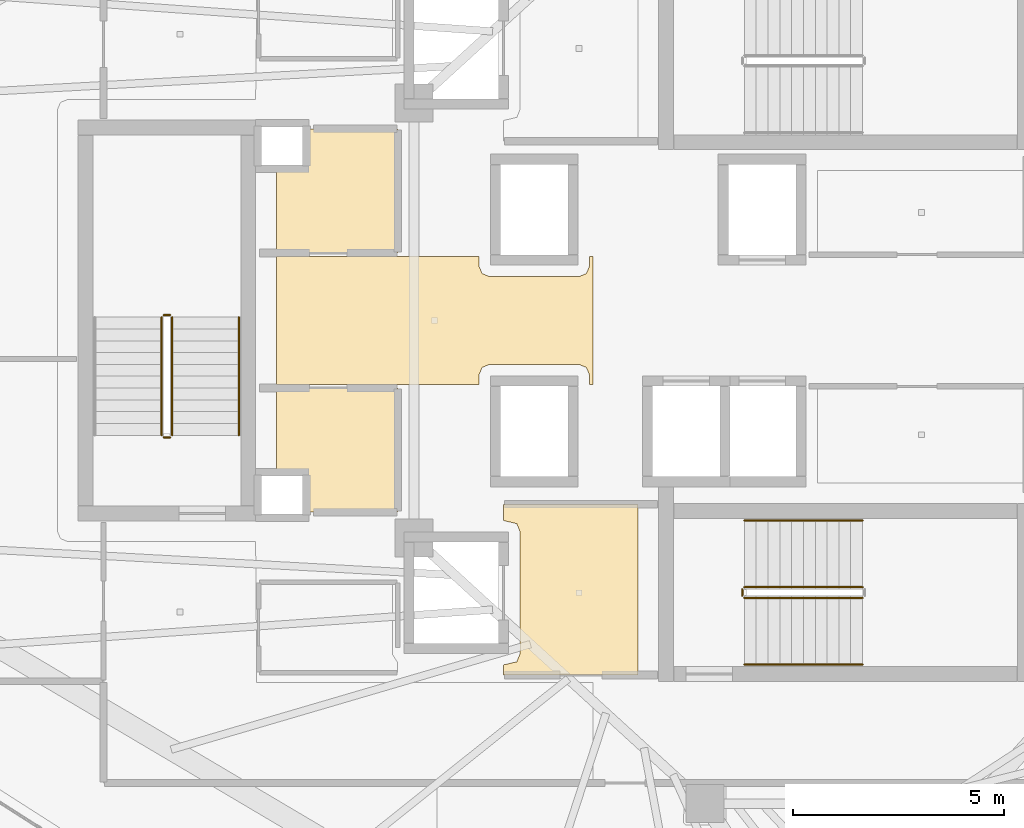
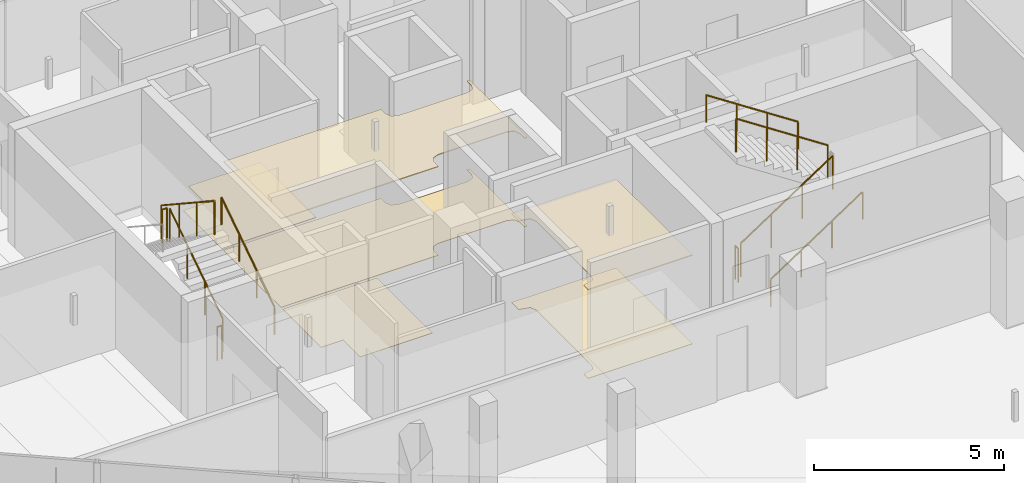
# One storey, part 29 of 33: 10 railings, 6 coverings.
"""IFC4 building model written with IfcOpenShell, lengths in metres."""

from ifc_helpers import new_model, si_unit, direction, frame, origin, origin_2d, place, context, subcontext, project, spatial, polyline, circle, outline, extrude, material, layer, layer_set, type_object, element, save


model = new_model("IFC4")

# Units and contexts
model_context = context("Model", 3, precision=1e-05, world=origin(), true_north=direction((0.0, 1.0)))
body_context = subcontext(model_context, "Body", "Model", "MODEL_VIEW")
ifc_project = project(units=[si_unit("LENGTHUNIT", "METRE"), si_unit("AREAUNIT", "SQUARE_METRE"), si_unit("VOLUMEUNIT", "CUBIC_METRE"), si_unit("PLANEANGLEUNIT", "RADIAN"), si_unit("MASSUNIT", "GRAM", prefix="KILO")], contexts=[model_context])

# Site, building, storey
site_placement = place(None, origin())
site = spatial("IfcSite", under=ifc_project, at=site_placement, CompositionType="ELEMENT")
building_placement = place(site_placement, origin())
building = spatial("IfcBuilding", under=site, at=building_placement, Name="Qorvath Tower", CompositionType="ELEMENT")
storey_placement = place(building_placement, frame((0.0, 0.0, 221.25)))
storey = spatial("IfcBuildingStorey", under=building, at=storey_placement, Name="L51", CompositionType="ELEMENT", Elevation=221.25)

# Coverings
ifc_material_1 = material(Name="Acoustic mineral fibre ceiling tile", Category="gypsum")
ifc_layer_1 = layer(ifc_material_1, 0.030029296875)
ifc_layer_set_1 = layer_set([ifc_layer_1], Name="COV-CEIL")
covering_type_1 = type_object("IfcCoveringType", Name="COV-CEIL", PredefinedType="CEILING", material=ifc_layer_set_1)
covering_1_placement = place(storey_placement, frame((0.0, 0.0, 2.85009765625)))
element("IfcCovering", 1, at=covering_1_placement, inside=storey, type_object=covering_type_1, Name="L51 Suspended Acoustic Ceiling 002", PredefinedType="CEILING", context=body_context, shape_type="SweptSolid", body=[
    extrude(outline(polyline([(-25.18994140625, -8.39501953125), (-25.18994140625, -4.35498046875), (-28.375, -4.35498046875), (-28.375, -4.739990234375), (-28.063232421875, -4.813232421875), (-27.989990234375, -4.989990234375), (-27.989990234375, -7.909912109375), (-28.063232421875, -8.086669921875), (-28.375, -8.159912109375), (-28.375, -8.39501953125), (-25.18994140625, -8.39501953125)])), origin(), (0.0, 0.0, 1.0), 0.030029296875),
])
covering_2_placement = place(storey_placement, frame((0.0, 0.0, 2.85009765625)))
element("IfcCovering", 2, at=covering_2_placement, inside=storey, type_object=covering_type_1, Name="L51 Suspended Acoustic Ceiling 011", PredefinedType="CEILING", context=body_context, shape_type="SweptSolid", body=[
    extrude(outline(polyline([(-26.2587890625, -1.514892578125), (-26.2587890625, 1.514892578125), (-26.340087890625, 1.514892578125), (-26.340087890625, 1.2900390625), (-26.413330078125, 1.11328125), (-26.590087890625, 1.0400390625), (-28.7099609375, 1.0400390625), (-28.88671875, 1.11328125), (-28.9599609375, 1.2900390625), (-28.9599609375, 1.514892578125), (-33.760009765625, 1.514892578125), (-33.760009765625, -1.514892578125), (-28.9599609375, -1.514892578125), (-28.9599609375, -1.2900390625), (-28.88671875, -1.11328125), (-28.7099609375, -1.0400390625), (-26.590087890625, -1.0400390625), (-26.413330078125, -1.11328125), (-26.340087890625, -1.2900390625), (-26.340087890625, -1.514892578125), (-26.2587890625, -1.514892578125)])), origin(), (0.0, 0.0, 1.0), 0.030029296875),
])
ifc_material_2 = material(Name="Low-VOC modular carpet tile", Category="textile")
ifc_layer_2 = layer(ifc_material_2, 0.014892578125)
ifc_layer_set_2 = layer_set([ifc_layer_2], Name="COV-FLOOR-CPT")
covering_type_2 = type_object("IfcCoveringType", Name="COV-FLOOR-CPT", PredefinedType="FLOORING", material=ifc_layer_set_2)
covering_3_placement = place(storey_placement, origin())
element("IfcCovering", 3, at=covering_3_placement, inside=storey, type_object=covering_type_2, Name="L51 Floor Finish 006", PredefinedType="FLOORING", context=body_context, shape_type="SweptSolid", body=[
    extrude(outline(polyline([(-33.760009765625, 3.636962890625), (-33.760009765625, 1.60498046875), (-30.885009765625, 1.60498046875), (-30.885009765625, 4.534912109375), (-33.0869140625, 4.534912109375), (-33.092041015625, 3.636962890625), (-33.760009765625, 3.636962890625)])), origin(), (0.0, 0.0, 1.0), 0.014892578125),
])
covering_4_placement = place(storey_placement, origin())
element("IfcCovering", 4, at=covering_4_placement, inside=storey, type_object=covering_type_2, Name="L51 Floor Finish 008", PredefinedType="FLOORING", context=body_context, shape_type="SweptSolid", body=[
    extrude(outline(polyline([(-30.885009765625, -4.534912109375), (-30.885009765625, -1.60498046875), (-33.760009765625, -1.60498046875), (-33.760009765625, -3.636962890625), (-33.08837890625, -3.638427734375), (-33.0869140625, -4.534912109375), (-30.885009765625, -4.534912109375)])), origin(), (0.0, 0.0, 1.0), 0.014892578125),
])
ifc_material_3 = material(Name="Polished epoxy terrazzo flooring", Category="concrete")
ifc_layer_3 = layer(ifc_material_3, 0.02001953125)
ifc_layer_set_3 = layer_set([ifc_layer_3], Name="COV-FLOOR-TRZ")
covering_type_3 = type_object("IfcCoveringType", Name="COV-FLOOR-TRZ", PredefinedType="FLOORING", material=ifc_layer_set_3)
covering_5_placement = place(storey_placement, origin())
element("IfcCovering", 5, at=covering_5_placement, inside=storey, type_object=covering_type_3, Name="L51 Floor Finish 002", PredefinedType="FLOORING", context=body_context, shape_type="SweptSolid", body=[
    extrude(outline(polyline([(-25.18994140625, -8.39501953125), (-25.18994140625, -4.35498046875), (-28.375, -4.35498046875), (-28.375, -4.739990234375), (-28.063232421875, -4.813232421875), (-27.989990234375, -4.989990234375), (-27.989990234375, -7.909912109375), (-28.063232421875, -8.086669921875), (-28.375, -8.159912109375), (-28.375, -8.39501953125), (-25.18994140625, -8.39501953125)])), origin(), (0.0, 0.0, 1.0), 0.014892578125),
])
covering_6_placement = place(storey_placement, origin())
element("IfcCovering", 6, at=covering_6_placement, inside=storey, type_object=covering_type_3, Name="L51 Floor Finish 011", PredefinedType="FLOORING", context=body_context, shape_type="SweptSolid", body=[
    extrude(outline(polyline([(-26.2587890625, -1.514892578125), (-26.2587890625, 1.514892578125), (-26.340087890625, 1.514892578125), (-26.340087890625, 1.2900390625), (-26.413330078125, 1.11328125), (-26.590087890625, 1.0400390625), (-28.7099609375, 1.0400390625), (-28.88671875, 1.11328125), (-28.9599609375, 1.2900390625), (-28.9599609375, 1.514892578125), (-33.760009765625, 1.514892578125), (-33.760009765625, -1.514892578125), (-28.9599609375, -1.514892578125), (-28.9599609375, -1.2900390625), (-28.88671875, -1.11328125), (-28.7099609375, -1.0400390625), (-26.590087890625, -1.0400390625), (-26.413330078125, -1.11328125), (-26.340087890625, -1.2900390625), (-26.340087890625, -1.514892578125), (-26.2587890625, -1.514892578125)])), origin(), (0.0, 0.0, 1.0), 0.014892578125),
])

# Railings
ifc_material_4 = material(Name="Painted galvanised steel", Category="steel")
railing_type_1 = type_object("IfcRailingType", Name="RL-STR-GRD", PredefinedType="GUARDRAIL", material=ifc_material_4)
railing_1_placement = place(storey_placement, frame((-22.669921875, -6.570068359375, 0.18408203125)))
element("IfcRailing", 7, at=railing_1_placement, inside=storey, type_object=railing_type_1, Name="L51 TS2 stair guard 1", PredefinedType="GUARDRAIL", context=body_context, shape_type="SweptSolid", body=[
    extrude(circle(Radius=0.02392578125, at=origin_2d()), frame((0.0, 0.0, 1.076171875), z_axis=(0.835575518608, 0.0, 0.549375602573), x_axis=(0.0, 1.0, 0.0)), (0.0, 0.0, 1.0), 3.350830078125),
    extrude(circle(Radius=0.02099609375, at=origin_2d()), origin(), (0.0, 0.0, 1.0), 1.052001953125),
    extrude(circle(Radius=0.02099609375, at=origin_2d()), frame((0.933349609375, 0.0, 0.613525390625)), (0.0, 0.0, 1.0), 1.052001953125),
    extrude(circle(Radius=0.02099609375, at=origin_2d()), frame((1.866455078125, 0.0, 1.227294921875)), (0.0, 0.0, 1.0), 1.052001953125),
    extrude(circle(Radius=0.02099609375, at=origin_2d()), frame((2.7998046875, 0.0, 1.8408203125)), (0.0, 0.0, 1.0), 1.052001953125),
])
railing_2_placement = place(storey_placement, frame((-19.8701171875, -6.320068359375, 2.208984375)))
element("IfcRailing", 8, at=railing_2_placement, inside=storey, type_object=railing_type_1, Name="L51 TS2 stair guard 3", PredefinedType="GUARDRAIL", context=body_context, shape_type="SweptSolid", body=[
    extrude(circle(Radius=0.02392578125, at=origin_2d()), frame((0.0, 0.0, 1.076171875), z_axis=(-0.835542071712, 0.0, 0.549426470421), x_axis=(0.0, -1.0, 0.0)), (0.0, 0.0, 1.0), 3.350830078125),
    extrude(circle(Radius=0.02099609375, at=origin_2d()), origin(), (0.0, 0.0, 1.0), 1.052001953125),
    extrude(circle(Radius=0.02099609375, at=origin_2d()), frame((-0.933349609375, 0.0, 0.61376953125)), (0.0, 0.0, 1.0), 1.052001953125),
    extrude(circle(Radius=0.02099609375, at=origin_2d()), frame((-1.866455078125, 0.0, 1.227294921875)), (0.0, 0.0, 1.0), 1.052001953125),
    extrude(circle(Radius=0.02099609375, at=origin_2d()), frame((-2.7998046875, 0.0, 1.841064453125)), (0.0, 0.0, 1.0), 1.052001953125),
])
railing_3_placement = place(storey_placement, frame((-22.719970703125, -6.52001953125, 0.0)))
element("IfcRailing", 9, at=railing_3_placement, inside=storey, type_object=railing_type_1, Name="L51 TS2 stair guard 4", PredefinedType="GUARDRAIL", context=body_context, shape_type="SweptSolid", body=[
    extrude(circle(Radius=0.02392578125, at=origin_2d()), frame((0.0, 0.0, 1.076171875), z_axis=(0.0, 1.0, 0.0), x_axis=(-1.0, 0.0, 0.0)), (0.0, 0.0, 1.0), 0.14990234375),
    extrude(circle(Radius=0.02099609375, at=origin_2d()), origin(), (0.0, 0.0, 1.0), 1.052001953125),
    extrude(circle(Radius=0.02099609375, at=origin_2d()), frame((0.0, 0.14990234375, 0.0)), (0.0, 0.0, 1.0), 1.052001953125),
])
railing_4_placement = place(storey_placement, frame((-36.22998046875, -2.719970703125, 0.18408203125)))
element("IfcRailing", 10, at=railing_4_placement, inside=storey, type_object=railing_type_1, Name="L51 TS3 stair guard 1", PredefinedType="GUARDRAIL", context=body_context, shape_type="SweptSolid", body=[
    extrude(circle(Radius=0.02392578125, at=origin_2d()), frame((0.0, 0.0, 1.076171875), z_axis=(0.0, 0.835597507184, 0.549342157483), x_axis=(-1.0, 0.0, 0.0)), (0.0, 0.0, 1.0), 3.35107421875),
    extrude(circle(Radius=0.02099609375, at=origin_2d()), origin(), (0.0, 0.0, 1.0), 1.052001953125),
    extrude(circle(Radius=0.02099609375, at=origin_2d()), frame((0.0, 0.933349609375, 0.613525390625)), (0.0, 0.0, 1.0), 1.052001953125),
    extrude(circle(Radius=0.02099609375, at=origin_2d()), frame((0.0, 1.86669921875, 1.227294921875)), (0.0, 0.0, 1.0), 1.052001953125),
    extrude(circle(Radius=0.02099609375, at=origin_2d()), frame((0.0, 2.800048828125, 1.8408203125)), (0.0, 0.0, 1.0), 1.052001953125),
])
railing_5_placement = place(storey_placement, frame((-36.280029296875, 0.1298828125, 2.02490234375)))
element("IfcRailing", 11, at=railing_5_placement, inside=storey, type_object=railing_type_1, Name="L51 TS3 stair guard 2", PredefinedType="GUARDRAIL", context=body_context, shape_type="SweptSolid", body=[
    extrude(circle(Radius=0.02392578125, at=origin_2d()), frame((0.0, 0.0, 1.076171875), z_axis=(-1.0, 0.0, 0.0), x_axis=(0.0, -1.0, 0.0)), (0.0, 0.0, 1.0), 0.14990234375),
    extrude(circle(Radius=0.02099609375, at=origin_2d()), origin(), (0.0, 0.0, 1.0), 1.052001953125),
    extrude(circle(Radius=0.02099609375, at=origin_2d()), frame((-0.14990234375, 0.0, 0.0)), (0.0, 0.0, 1.0), 1.052001953125),
])
railing_6_placement = place(storey_placement, frame((-36.47998046875, 0.080078125, 2.208984375)))
element("IfcRailing", 12, at=railing_6_placement, inside=storey, type_object=railing_type_1, Name="L51 TS3 stair guard 3", PredefinedType="GUARDRAIL", context=body_context, shape_type="SweptSolid", body=[
    extrude(circle(Radius=0.02392578125, at=origin_2d()), frame((0.0, 0.0, 1.076171875), z_axis=(0.0, -0.83556406348, 0.549393024911), x_axis=(1.0, 0.0, 0.0)), (0.0, 0.0, 1.0), 3.35107421875),
    extrude(circle(Radius=0.02099609375, at=origin_2d()), origin(), (0.0, 0.0, 1.0), 1.052001953125),
    extrude(circle(Radius=0.02099609375, at=origin_2d()), frame((0.0, -0.933349609375, 0.61376953125)), (0.0, 0.0, 1.0), 1.052001953125),
    extrude(circle(Radius=0.02099609375, at=origin_2d()), frame((0.0, -1.86669921875, 1.227294921875)), (0.0, 0.0, 1.0), 1.052001953125),
    extrude(circle(Radius=0.02099609375, at=origin_2d()), frame((0.0, -2.800048828125, 1.841064453125)), (0.0, 0.0, 1.0), 1.052001953125),
])
railing_7_placement = place(storey_placement, frame((-36.280029296875, -2.77001953125, 0.0)))
element("IfcRailing", 13, at=railing_7_placement, inside=storey, type_object=railing_type_1, Name="L51 TS3 stair guard 4", PredefinedType="GUARDRAIL", context=body_context, shape_type="SweptSolid", body=[
    extrude(circle(Radius=0.02392578125, at=origin_2d()), frame((0.0, 0.0, 1.076171875), z_axis=(-1.0, 0.0, 0.0), x_axis=(0.0, -1.0, 0.0)), (0.0, 0.0, 1.0), 0.14990234375),
    extrude(circle(Radius=0.02099609375, at=origin_2d()), origin(), (0.0, 0.0, 1.0), 1.052001953125),
    extrude(circle(Radius=0.02099609375, at=origin_2d()), frame((-0.14990234375, 0.0, 0.0)), (0.0, 0.0, 1.0), 1.052001953125),
])
ifc_material_5 = material(Name="Brushed stainless steel AISI 304", Category="steel")
railing_type_2 = type_object("IfcRailingType", Name="RL-STR-HND", PredefinedType="HANDRAIL", material=ifc_material_5)
railing_8_placement = place(storey_placement, frame((-22.669921875, -8.14990234375, 0.18408203125)))
element("IfcRailing", 14, at=railing_8_placement, inside=storey, type_object=railing_type_2, Name="L51 TS2 stair handrail 1", PredefinedType="HANDRAIL", context=body_context, shape_type="SweptSolid", body=[
    extrude(circle(Radius=0.02392578125, at=origin_2d()), frame((0.0, 0.0, 0.8759765625), z_axis=(0.835575518608, 0.0, 0.549375602573), x_axis=(0.0, 1.0, 0.0)), (0.0, 0.0, 1.0), 3.350830078125),
    extrude(circle(Radius=0.02099609375, at=origin_2d()), origin(), (0.0, 0.0, 1.0), 0.851806640625),
    extrude(circle(Radius=0.02099609375, at=origin_2d()), frame((0.933349609375, 0.0, 0.613525390625)), (0.0, 0.0, 1.0), 0.851806640625),
    extrude(circle(Radius=0.02099609375, at=origin_2d()), frame((1.866455078125, 0.0, 1.227294921875)), (0.0, 0.0, 1.0), 0.851806640625),
    extrude(circle(Radius=0.02099609375, at=origin_2d()), frame((2.7998046875, 0.0, 1.8408203125)), (0.0, 0.0, 1.0), 0.851806640625),
])
railing_9_placement = place(storey_placement, frame((-19.8701171875, -4.739990234375, 2.208984375)))
element("IfcRailing", 15, at=railing_9_placement, inside=storey, type_object=railing_type_2, Name="L51 TS2 stair handrail 2", PredefinedType="HANDRAIL", context=body_context, shape_type="SweptSolid", body=[
    extrude(circle(Radius=0.02392578125, at=origin_2d()), frame((0.0, 0.0, 0.8759765625), z_axis=(-0.835542071712, 0.0, 0.549426470421), x_axis=(0.0, -1.0, 0.0)), (0.0, 0.0, 1.0), 3.350830078125),
    extrude(circle(Radius=0.02099609375, at=origin_2d()), origin(), (0.0, 0.0, 1.0), 0.851806640625),
    extrude(circle(Radius=0.02099609375, at=origin_2d()), frame((-0.933349609375, 0.0, 0.61376953125)), (0.0, 0.0, 1.0), 0.851806640625),
    extrude(circle(Radius=0.02099609375, at=origin_2d()), frame((-1.866455078125, 0.0, 1.227294921875)), (0.0, 0.0, 1.0), 0.851806640625),
    extrude(circle(Radius=0.02099609375, at=origin_2d()), frame((-2.7998046875, 0.0, 1.841064453125)), (0.0, 0.0, 1.0), 0.851806640625),
])
railing_10_placement = place(storey_placement, frame((-34.64990234375, -2.719970703125, 0.18408203125)))
element("IfcRailing", 16, at=railing_10_placement, inside=storey, type_object=railing_type_2, Name="L51 TS3 stair handrail 1", PredefinedType="HANDRAIL", context=body_context, shape_type="SweptSolid", body=[
    extrude(circle(Radius=0.02392578125, at=origin_2d()), frame((0.0, 0.0, 0.8759765625), z_axis=(0.0, 0.835597507184, 0.549342157483), x_axis=(-1.0, 0.0, 0.0)), (0.0, 0.0, 1.0), 3.35107421875),
    extrude(circle(Radius=0.02099609375, at=origin_2d()), origin(), (0.0, 0.0, 1.0), 0.851806640625),
    extrude(circle(Radius=0.02099609375, at=origin_2d()), frame((0.0, 0.933349609375, 0.613525390625)), (0.0, 0.0, 1.0), 0.851806640625),
    extrude(circle(Radius=0.02099609375, at=origin_2d()), frame((0.0, 1.86669921875, 1.227294921875)), (0.0, 0.0, 1.0), 0.851806640625),
    extrude(circle(Radius=0.02099609375, at=origin_2d()), frame((0.0, 2.800048828125, 1.8408203125)), (0.0, 0.0, 1.0), 0.851806640625),
])

save(model, "model.ifc")
